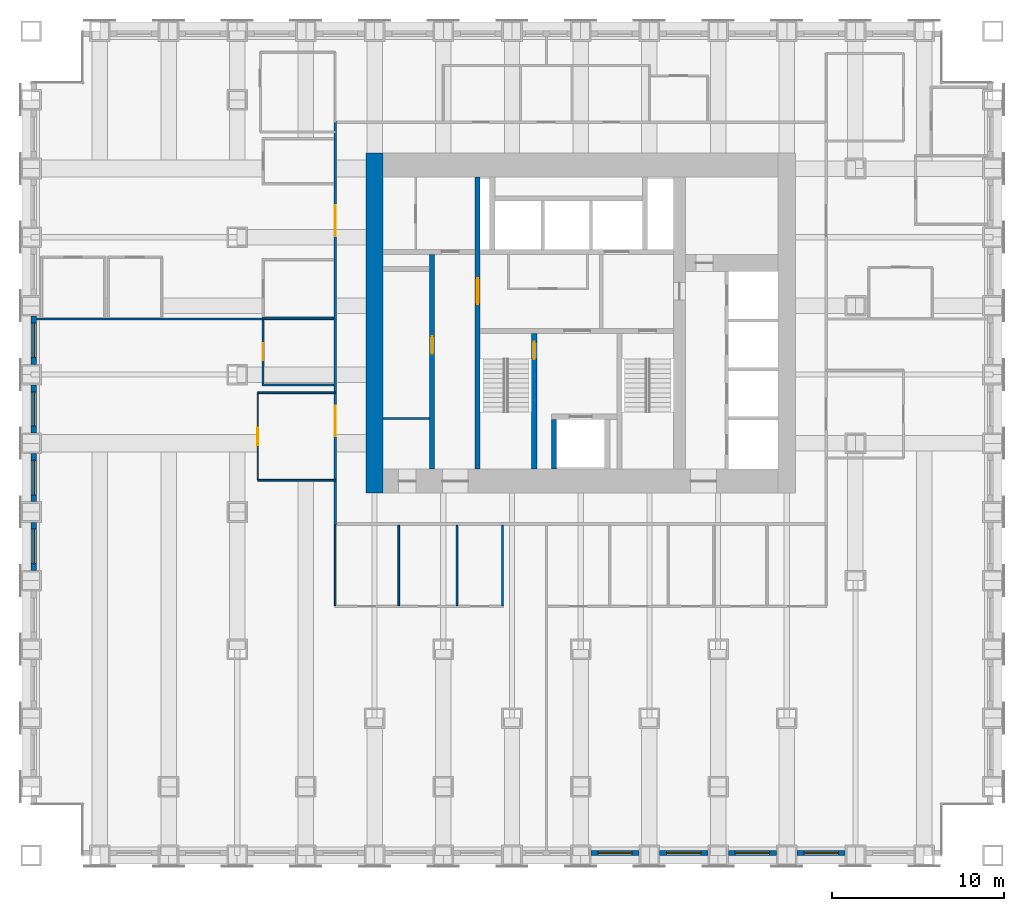
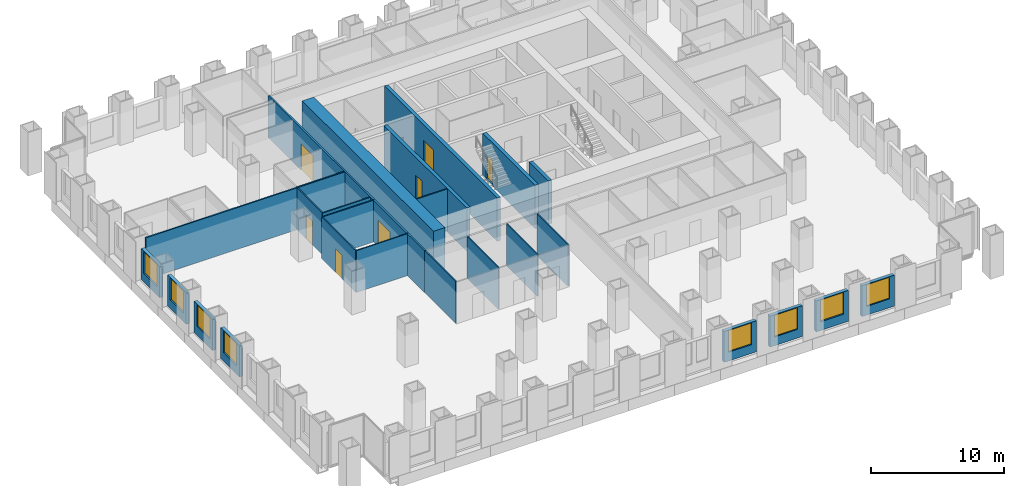
# One storey, part 9 of 15: 26 walls, 8 windows, 7 doors, 15 openings.
"""IFC4 building model written with IfcOpenShell, lengths in metres."""

from ifc_helpers import new_model, si_unit, direction, frame, frame_2d, origin, place, context, subcontext, project, spatial, rectangle, extrude, material, layer, layer_set, type_object, element, fill, save


model = new_model("IFC4")

# Units and contexts
model_context = context("Model", 3, precision=1e-05, world=origin(), true_north=direction((0.0, 1.0)))
body_context = subcontext(model_context, "Body", "Model", "MODEL_VIEW")
ifc_project = project(units=[si_unit("LENGTHUNIT", "METRE"), si_unit("AREAUNIT", "SQUARE_METRE"), si_unit("VOLUMEUNIT", "CUBIC_METRE"), si_unit("PLANEANGLEUNIT", "RADIAN"), si_unit("MASSUNIT", "GRAM", prefix="KILO")], contexts=[model_context])

# Site, building, storey
site_placement = place(None, origin())
site = spatial("IfcSite", under=ifc_project, at=site_placement, CompositionType="ELEMENT")
building_placement = place(site_placement, origin())
building = spatial("IfcBuilding", under=site, at=building_placement, Name="Rimbunsela Tower", CompositionType="ELEMENT")
storey_placement = place(building_placement, frame((0.0, 0.0, 19.0)))
storey = spatial("IfcBuildingStorey", under=building, at=storey_placement, Name="L04", CompositionType="ELEMENT", Elevation=19.0)

# Wall, opening, door
ifc_material_1 = material(Name="Concrete fc' 80 MPa", Category="concrete")
ifc_layer_1 = layer(ifc_material_1, 0.300048828125)
ifc_layer_set_1 = layer_set([ifc_layer_1], Name="Core internal wall 300")
wall_type_1 = type_object("IfcWallType", Name="Core internal wall 300", PredefinedType="SHEAR", material=ifc_layer_set_1)
wall_1_placement = place(storey_placement, frame((24.0, 18.5, -0.14990234375), z_axis=(0.0, 0.0, 1.0), x_axis=(0.0, 1.0, 0.0)))
wall_1 = element("IfcWall", 1, at=wall_1_placement, inside=storey, type_object=wall_type_1, Name="Core wall at stair A", PredefinedType="SHEAR", context=body_context, shape_type="SweptSolid", body=[
    extrude(rectangle(XDim=17.0, YDim=0.300048828125, at=frame_2d((8.5, 0.0))), origin(), (0.0, 0.0, 1.0), 4.0),
])
opening_1_placement = place(wall_1_placement, frame((9.60009765625, 0.0, 0.14990234375)))
opening_1 = element("IfcOpeningElement", 2, at=opening_1_placement, cuts=wall_1, Name="Opening D03", PredefinedType="OPENING", context=body_context, shape_type="SweptSolid", body=[
    extrude(rectangle(XDim=1.5, YDim=2.39990234375, at=frame_2d((0.75, 1.199951171875))), frame((0.0, 0.159912109375, 0.0), z_axis=(0.0, -1.0, 0.0), x_axis=(1.0, 0.0, 0.0)), (0.0, 0.0, 1.0), 0.320068359375),
])
ifc_material_2 = material(Name="Steel door, fire rated", Category="steel")
door_type_1 = type_object("IfcDoorType", Name="Core lobby door 1500", OperationType="DOUBLE_DOOR_DOUBLE_SWING", PredefinedType="DOOR", material=ifc_material_2)
door_1_placement = place(opening_1_placement, origin())
door_1 = element("IfcDoor", 3, at=door_1_placement, inside=storey, type_object=door_type_1, Name="West lobby door", OperationType="DOUBLE_DOOR_DOUBLE_SWING", OverallHeight=2.39990234375, OverallWidth=1.5, PredefinedType="DOOR", context=body_context, shape_type="SweptSolid", body=[
    extrude(rectangle(XDim=1.5, YDim=2.39990234375, at=frame_2d((0.75, 1.199951171875))), frame((0.0, 0.02490234375, 0.0), z_axis=(0.0, -1.0, 0.0), x_axis=(1.0, 0.0, 0.0)), (0.0, 0.0, 1.0), 0.050048828125),
])
fill(opening_1, door_1)

wall_2_placement = place(storey_placement, frame((27.300048828125, 18.5, -0.14990234375), z_axis=(0.0, 0.0, 1.0), x_axis=(0.0, 1.0, 0.0)))
wall_2 = element("IfcWall", 4, at=wall_2_placement, inside=storey, type_object=wall_type_1, Name="Stair A enclosure", PredefinedType="SHEAR", context=body_context, shape_type="SweptSolid", body=[
    extrude(rectangle(XDim=7.89990234375, YDim=0.300048828125, at=frame_2d((3.949951171875, 0.0))), origin(), (0.0, 0.0, 1.0), 4.0),
])
opening_2_placement = place(wall_2_placement, frame((6.39990234375, 0.0, 0.14990234375)))
opening_2 = element("IfcOpeningElement", 5, at=opening_2_placement, cuts=wall_2, Name="Opening D01", PredefinedType="OPENING", context=body_context, shape_type="SweptSolid", body=[
    extrude(rectangle(XDim=1.0, YDim=2.199951171875, at=frame_2d((0.5, 1.10009765625))), frame((0.0, 0.159912109375, 0.0), z_axis=(0.0, -1.0, 0.0), x_axis=(1.0, 0.0, 0.0)), (0.0, 0.0, 1.0), 0.320068359375),
])
ifc_material_3 = material(Name="Steel door, fire rated", Category="steel")
door_type_2 = type_object("IfcDoorType", Name="Stair door 1000", OperationType="SINGLE_SWING_RIGHT", PredefinedType="DOOR", material=ifc_material_3)
door_2_placement = place(opening_2_placement, origin())
door_2 = element("IfcDoor", 6, at=door_2_placement, inside=storey, type_object=door_type_2, Name="Stair A door", OperationType="SINGLE_SWING_RIGHT", OverallHeight=2.199951171875, OverallWidth=1.0, PredefinedType="DOOR", context=body_context, shape_type="SweptSolid", body=[
    extrude(rectangle(XDim=1.0, YDim=2.199951171875, at=frame_2d((0.5, 1.10009765625))), frame((0.0, 0.02490234375, 0.0), z_axis=(0.0, -1.0, 0.0), x_axis=(1.0, 0.0, 0.0)), (0.0, 0.0, 1.0), 0.050048828125),
])
fill(opening_2, door_2)

# Wall
wall_3_placement = place(storey_placement, frame((28.449951171875, 18.5, -0.14990234375), z_axis=(0.0, 0.0, 1.0), x_axis=(0.0, 1.0, 0.0)))
element("IfcWall", 7, at=wall_3_placement, inside=storey, type_object=wall_type_1, Name="Firefighting lift shaft west", PredefinedType="SHEAR", context=body_context, shape_type="SweptSolid", body=[
    extrude(rectangle(XDim=2.89990234375, YDim=0.300048828125, at=frame_2d((1.449951171875, 0.0))), origin(), (0.0, 0.0, 1.0), 4.0),
])

# Wall, opening, door
wall_4_placement = place(storey_placement, frame((21.35009765625, 18.5, -0.14990234375), z_axis=(0.0, 0.0, 1.0), x_axis=(0.0, 1.0, 0.0)))
wall_4 = element("IfcWall", 8, at=wall_4_placement, inside=storey, type_object=wall_type_1, Name="Lift shaft front west", PredefinedType="SHEAR", context=body_context, shape_type="SweptSolid", body=[
    extrude(rectangle(XDim=12.5, YDim=0.300048828125, at=frame_2d((6.25, 0.0))), origin(), (0.0, 0.0, 1.0), 4.0),
])
opening_3_placement = place(wall_4_placement, frame((6.72509765625, 0.0, 0.14990234375)))
opening_3 = element("IfcOpeningElement", 9, at=opening_3_placement, cuts=wall_4, Name="Opening D19", PredefinedType="OPENING", context=body_context, shape_type="SweptSolid", body=[
    extrude(rectangle(XDim=1.0, YDim=2.199951171875, at=frame_2d((0.5, 1.10009765625))), frame((0.0, 0.159912109375, 0.0), z_axis=(0.0, -1.0, 0.0), x_axis=(1.0, 0.0, 0.0)), (0.0, 0.0, 1.0), 0.320068359375),
])
ifc_material_4 = material(Name="Steel door, fire rated", Category="steel")
door_type_3 = type_object("IfcDoorType", Name="Service door 1000 fire rated", OperationType="SINGLE_SWING_LEFT", PredefinedType="DOOR", material=ifc_material_4)
door_3_placement = place(opening_3_placement, origin())
door_3 = element("IfcDoor", 10, at=door_3_placement, inside=storey, type_object=door_type_3, Name="Housekeeping store door", OperationType="SINGLE_SWING_LEFT", OverallHeight=2.199951171875, OverallWidth=1.0, PredefinedType="DOOR", context=body_context, shape_type="SweptSolid", body=[
    extrude(rectangle(XDim=1.0, YDim=2.199951171875, at=frame_2d((0.5, 1.10009765625))), frame((0.0, 0.02490234375, 0.0), z_axis=(0.0, -1.0, 0.0), x_axis=(1.0, 0.0, 0.0)), (0.0, 0.0, 1.0), 0.050048828125),
])
fill(opening_3, door_3)

# Walls
ifc_material_5 = material(Name="Concrete blockwork", Category="masonry")
ifc_layer_2 = layer(ifc_material_5, 0.10009765625)
ifc_layer_set_2 = layer_set([ifc_layer_2], Name="Core room partition 100")
wall_type_2 = type_object("IfcWallType", Name="Core room partition 100", PredefinedType="PARTITIONING", material=ifc_layer_set_2)
wall_5_placement = place(storey_placement, frame((18.5, 21.449951171875, 0.0), z_axis=(0.0, 0.0, 1.0), x_axis=(1.0, 0.0, 0.0)))
element("IfcWall", 11, at=wall_5_placement, inside=storey, type_object=wall_type_2, Name="Housekeeping store wall", PredefinedType="PARTITIONING", context=body_context, shape_type="SweptSolid", body=[
    extrude(rectangle(XDim=2.699951171875, YDim=0.10009765625, at=frame_2d((1.35009765625, 0.0))), origin(), (0.0, 0.0, 1.0), 3.85009765625),
])
ifc_material_6 = material(Name="Concrete fc' 80 MPa", Category="concrete")
ifc_layer_3 = layer(ifc_material_6, 1.0)
ifc_layer_set_3 = layer_set([ifc_layer_3], Name="Core wall 1000")
wall_type_3 = type_object("IfcWallType", Name="Core wall 1000", PredefinedType="SHEAR", material=ifc_layer_set_3)
wall_6_placement = place(storey_placement, frame((18.0, 17.10009765625, -0.14990234375), z_axis=(0.0, 0.0, 1.0), x_axis=(0.0, 1.0, 0.0)))
element("IfcWall", 12, at=wall_6_placement, inside=storey, type_object=wall_type_3, Name="Core wall west", PredefinedType="SHEAR", context=body_context, shape_type="SweptSolid", body=[
    extrude(rectangle(XDim=19.7998046875, YDim=1.0, at=frame_2d((9.89990234375, 0.0))), origin(), (0.0, 0.0, 1.0), 4.0),
])
ifc_material_7 = material(Name="Gypsum board on steel studs", Category="steel")
ifc_layer_4 = layer(ifc_material_7, 0.10009765625)
ifc_layer_set_4 = layer_set([ifc_layer_4], Name="Office partition 100")
wall_type_4 = type_object("IfcWallType", Name="Office partition 100", PredefinedType="PARTITIONING", material=ifc_layer_set_4)
for number, where, z_axis, x_axis, name in (
    (13, (11.449951171875, 23.39990234375, 0.0), (0.0, 0.0, 1.0), (1.0, 0.0, 0.0), "Office partition"),
    (14, (11.449951171875, 27.300048828125, 0.0), (0.0, 0.0, 1.0), (1.0, 0.0, 0.0), "Office partition"),
):
    element("IfcWall", number, at=place(storey_placement, frame(where, z_axis=z_axis, x_axis=x_axis)), inside=storey, type_object=wall_type_4, Name=name, PredefinedType="PARTITIONING", context=body_context, shape_type="SweptSolid", body=[
        extrude(rectangle(XDim=4.175048828125, YDim=0.10009765625, at=frame_2d((2.08740234375, 0.0))), origin(), (0.0, 0.0, 1.0), 3.85009765625),
    ])

# Wall, opening, door
wall_7_placement = place(storey_placement, frame((11.5, 23.449951171875, 0.0), z_axis=(0.0, 0.0, 1.0), x_axis=(0.0, 1.0, 0.0)))
wall_7 = element("IfcWall", 15, at=wall_7_placement, inside=storey, type_object=wall_type_4, Name="Office partition", PredefinedType="PARTITIONING", context=body_context, shape_type="SweptSolid", body=[
    extrude(rectangle(XDim=3.739013671875, YDim=0.10009765625, at=frame_2d((1.86962890625, 0.0))), origin(), (0.0, 0.0, 1.0), 3.85009765625),
])
opening_4_placement = place(wall_7_placement, frame((1.37451171875, 0.0, 0.0)))
opening_4 = element("IfcOpeningElement", 16, at=opening_4_placement, cuts=wall_7, Name="Opening D16", PredefinedType="OPENING", context=body_context, shape_type="SweptSolid", body=[
    extrude(rectangle(XDim=1.0, YDim=2.199951171875, at=frame_2d((0.5, 1.10009765625))), frame((0.0, 0.06005859375, 0.0), z_axis=(0.0, -1.0, 0.0), x_axis=(1.0, 0.0, 0.0)), (0.0, 0.0, 1.0), 0.1201171875),
])
ifc_material_8 = material(Name="Timber door", Category="wood")
door_type_4 = type_object("IfcDoorType", Name="Office door 1000", OperationType="SINGLE_SWING_LEFT", PredefinedType="DOOR", material=ifc_material_8)
door_4_placement = place(opening_4_placement, origin())
door_4 = element("IfcDoor", 17, at=door_4_placement, inside=storey, type_object=door_type_4, Name="Office door", OperationType="SINGLE_SWING_LEFT", OverallHeight=2.199951171875, OverallWidth=1.0, PredefinedType="DOOR", context=body_context, shape_type="SweptSolid", body=[
    extrude(rectangle(XDim=1.0, YDim=2.199951171875, at=frame_2d((0.5, 1.10009765625))), frame((0.0, 0.02490234375, 0.0), z_axis=(0.0, -1.0, 0.0), x_axis=(1.0, 0.0, 0.0)), (0.0, 0.0, 1.0), 0.050048828125),
])
fill(opening_4, door_4)

# Walls
for number, where, z_axis, x_axis, name in (
    (18, (15.699951171875, 10.550048828125, 0.0), (0.0, 0.0, 1.0), (0.0, 1.0, 0.0), "Office partition"),
    (19, (19.39990234375, 10.550048828125, 0.0), (0.0, 0.0, 1.0), (0.0, 1.0, 0.0), "Office partition"),
    (20, (22.800048828125, 10.550048828125, 0.0), (0.0, 0.0, 1.0), (0.0, 1.0, 0.0), "Office partition"),
    (21, (25.449951171875, 10.550048828125, 0.0), (0.0, 0.0, 1.0), (0.0, 1.0, 0.0), "Office partition"),
):
    element("IfcWall", number, at=place(storey_placement, frame(where, z_axis=z_axis, x_axis=x_axis)), inside=storey, type_object=wall_type_4, Name=name, PredefinedType="PARTITIONING", context=body_context, shape_type="SweptSolid", body=[
        extrude(rectangle(XDim=4.675048828125, YDim=0.10009765625, at=frame_2d((2.33740234375, 0.0))), origin(), (0.0, 0.0, 1.0), 3.85009765625),
    ])
wall_8_placement = place(storey_placement, frame((15.699951171875, 22.949951171875, 0.0), z_axis=(0.0, 0.0, 1.0), x_axis=(-1.0, 0.0, 0.0)))
element("IfcWall", 22, at=wall_8_placement, inside=storey, type_object=wall_type_4, Name="Office partition", PredefinedType="PARTITIONING", context=body_context, shape_type="SweptSolid", body=[
    extrude(rectangle(XDim=4.5, YDim=0.10009765625, at=frame_2d((2.25, 0.0))), origin(), (0.0, 0.0, 1.0), 3.85009765625),
])

# Wall, opening, door
wall_9_placement = place(storey_placement, frame((11.199951171875, 22.949951171875, 0.0), z_axis=(0.0, 0.0, 1.0), x_axis=(0.0, -1.0, 0.0)))
wall_9 = element("IfcWall", 23, at=wall_9_placement, inside=storey, type_object=wall_type_4, Name="Office partition", PredefinedType="PARTITIONING", context=body_context, shape_type="SweptSolid", body=[
    extrude(rectangle(XDim=5.099853515625, YDim=0.10009765625, at=frame_2d((2.5498046875, 0.0))), origin(), (0.0, 0.0, 1.0), 3.85009765625),
])
opening_5_placement = place(wall_9_placement, frame((2.050048828125, 0.0, 0.0)))
opening_5 = element("IfcOpeningElement", 24, at=opening_5_placement, cuts=wall_9, Name="Opening D17", PredefinedType="OPENING", context=body_context, shape_type="SweptSolid", body=[
    extrude(rectangle(XDim=1.0, YDim=2.199951171875, at=frame_2d((0.5, 1.10009765625))), frame((0.0, 0.06005859375, 0.0), z_axis=(0.0, -1.0, 0.0), x_axis=(1.0, 0.0, 0.0)), (0.0, 0.0, 1.0), 0.1201171875),
])
ifc_material_9 = material(Name="Glazed aluminium door", Category="aluminium")
door_type_5 = type_object("IfcDoorType", Name="Meeting room door 1000 glazed", OperationType="SINGLE_SWING_RIGHT", PredefinedType="DOOR", material=ifc_material_9)
door_5_placement = place(opening_5_placement, origin())
door_5 = element("IfcDoor", 25, at=door_5_placement, inside=storey, type_object=door_type_5, Name="Reception door", OperationType="SINGLE_SWING_RIGHT", OverallHeight=2.199951171875, OverallWidth=1.0, PredefinedType="DOOR", context=body_context, shape_type="SweptSolid", body=[
    extrude(rectangle(XDim=1.0, YDim=2.199951171875, at=frame_2d((0.5, 1.10009765625))), frame((0.0, 0.02490234375, 0.0), z_axis=(0.0, -1.0, 0.0), x_axis=(1.0, 0.0, 0.0)), (0.0, 0.0, 1.0), 0.050048828125),
])
fill(opening_5, door_5)

# Wall
wall_10_placement = place(storey_placement, frame((11.199951171875, 17.85009765625, 0.0), z_axis=(0.0, 0.0, 1.0), x_axis=(1.0, 0.0, 0.0)))
element("IfcWall", 26, at=wall_10_placement, inside=storey, type_object=wall_type_4, Name="Office partition", PredefinedType="PARTITIONING", context=body_context, shape_type="SweptSolid", body=[
    extrude(rectangle(XDim=4.5, YDim=0.10009765625, at=frame_2d((2.25, 0.0))), origin(), (0.0, 0.0, 1.0), 3.85009765625),
])

# Wall, opening, window
ifc_material_10 = material(Name="Precast concrete fc' 35 MPa", Category="concrete")
ifc_layer_5 = layer(ifc_material_10, 0.300048828125)
ifc_layer_set_5 = layer_set([ifc_layer_5], Name="Precast concrete fc' 35 MPa")
wall_type_5 = type_object("IfcWallType", Name="Precast facade panel 300", PredefinedType="ELEMENTEDWALL", material=ifc_layer_set_5)
wall_11_placement = place(storey_placement, frame((30.60009765625, -3.85009765625, 0.0), z_axis=(0.0, 0.0, 1.0), x_axis=(1.0, 0.0, 0.0)))
wall_11 = element("IfcWall", 27, at=wall_11_placement, inside=storey, type_object=wall_type_5, Name="Facade panel S L04", PredefinedType="ELEMENTEDWALL", context=body_context, shape_type="SweptSolid", body=[
    extrude(rectangle(XDim=2.7998046875, YDim=0.300048828125, at=frame_2d((1.39990234375, 0.0))), origin(), (0.0, 0.0, 1.0), 2.85009765625),
])
opening_6_placement = place(wall_11_placement, frame((0.39990234375, 0.0, 0.800048828125)))
opening_6 = element("IfcOpeningElement", 28, at=opening_6_placement, cuts=wall_11, Name="Opening W1", PredefinedType="OPENING", context=body_context, shape_type="SweptSolid", body=[
    extrude(rectangle(XDim=2.0, YDim=2.0, at=frame_2d((1.0, 1.0))), frame((0.0, 0.159912109375, 0.0), z_axis=(0.0, -1.0, 0.0), x_axis=(1.0, 0.0, 0.0)), (0.0, 0.0, 1.0), 0.320068359375),
])
ifc_material_11 = material(Name="Clear glass in aluminium frame", Category="aluminium")
window_type = type_object("IfcWindowType", Name="Window W1 2000x2000", PartitioningType="DOUBLE_PANEL_VERTICAL", PredefinedType="WINDOW", material=ifc_material_11)
window_1_placement = place(opening_6_placement, origin())
window_1 = element("IfcWindow", 29, at=window_1_placement, inside=storey, type_object=window_type, Name="Window L04", OverallHeight=2.0, OverallWidth=2.0, PartitioningType="SINGLE_PANEL", PredefinedType="WINDOW", context=body_context, shape_type="SweptSolid", body=[
    extrude(rectangle(XDim=2.0, YDim=2.0, at=frame_2d((1.0, 1.0))), frame((0.0, 0.030029296875, 0.0), z_axis=(0.0, -1.0, 0.0), x_axis=(1.0, 0.0, 0.0)), (0.0, 0.0, 1.0), 0.06005859375),
])
fill(opening_6, window_1)

wall_12_placement = place(storey_placement, frame((34.60009765625, -3.85009765625, 0.0), z_axis=(0.0, 0.0, 1.0), x_axis=(1.0, 0.0, 0.0)))
wall_12 = element("IfcWall", 30, at=wall_12_placement, inside=storey, type_object=wall_type_5, Name="Facade panel S L04", PredefinedType="ELEMENTEDWALL", context=body_context, shape_type="SweptSolid", body=[
    extrude(rectangle(XDim=2.7998046875, YDim=0.300048828125, at=frame_2d((1.39990234375, 0.0))), origin(), (0.0, 0.0, 1.0), 2.85009765625),
])
opening_7_placement = place(wall_12_placement, frame((0.39990234375, 0.0, 0.800048828125)))
opening_7 = element("IfcOpeningElement", 31, at=opening_7_placement, cuts=wall_12, Name="Opening W1", PredefinedType="OPENING", context=body_context, shape_type="SweptSolid", body=[
    extrude(rectangle(XDim=2.0, YDim=2.0, at=frame_2d((1.0, 1.0))), frame((0.0, 0.159912109375, 0.0), z_axis=(0.0, -1.0, 0.0), x_axis=(1.0, 0.0, 0.0)), (0.0, 0.0, 1.0), 0.320068359375),
])
window_2_placement = place(opening_7_placement, origin())
window_2 = element("IfcWindow", 32, at=window_2_placement, inside=storey, type_object=window_type, Name="Window L04", OverallHeight=2.0, OverallWidth=2.0, PartitioningType="SINGLE_PANEL", PredefinedType="WINDOW", context=body_context, shape_type="SweptSolid", body=[
    extrude(rectangle(XDim=2.0, YDim=2.0, at=frame_2d((1.0, 1.0))), frame((0.0, 0.030029296875, 0.0), z_axis=(0.0, -1.0, 0.0), x_axis=(1.0, 0.0, 0.0)), (0.0, 0.0, 1.0), 0.06005859375),
])
fill(opening_7, window_2)

wall_13_placement = place(storey_placement, frame((38.60009765625, -3.85009765625, 0.0), z_axis=(0.0, 0.0, 1.0), x_axis=(1.0, 0.0, 0.0)))
wall_13 = element("IfcWall", 33, at=wall_13_placement, inside=storey, type_object=wall_type_5, Name="Facade panel S L04", PredefinedType="ELEMENTEDWALL", context=body_context, shape_type="SweptSolid", body=[
    extrude(rectangle(XDim=2.7998046875, YDim=0.300048828125, at=frame_2d((1.39990234375, 0.0))), origin(), (0.0, 0.0, 1.0), 2.85009765625),
])
opening_8_placement = place(wall_13_placement, frame((0.39990234375, 0.0, 0.800048828125)))
opening_8 = element("IfcOpeningElement", 34, at=opening_8_placement, cuts=wall_13, Name="Opening W1", PredefinedType="OPENING", context=body_context, shape_type="SweptSolid", body=[
    extrude(rectangle(XDim=2.0, YDim=2.0, at=frame_2d((1.0, 1.0))), frame((0.0, 0.159912109375, 0.0), z_axis=(0.0, -1.0, 0.0), x_axis=(1.0, 0.0, 0.0)), (0.0, 0.0, 1.0), 0.320068359375),
])
window_3_placement = place(opening_8_placement, origin())
window_3 = element("IfcWindow", 35, at=window_3_placement, inside=storey, type_object=window_type, Name="Window L04", OverallHeight=2.0, OverallWidth=2.0, PartitioningType="SINGLE_PANEL", PredefinedType="WINDOW", context=body_context, shape_type="SweptSolid", body=[
    extrude(rectangle(XDim=2.0, YDim=2.0, at=frame_2d((1.0, 1.0))), frame((0.0, 0.030029296875, 0.0), z_axis=(0.0, -1.0, 0.0), x_axis=(1.0, 0.0, 0.0)), (0.0, 0.0, 1.0), 0.06005859375),
])
fill(opening_8, window_3)

wall_14_placement = place(storey_placement, frame((42.60009765625, -3.85009765625, 0.0), z_axis=(0.0, 0.0, 1.0), x_axis=(1.0, 0.0, 0.0)))
wall_14 = element("IfcWall", 36, at=wall_14_placement, inside=storey, type_object=wall_type_5, Name="Facade panel S L04", PredefinedType="ELEMENTEDWALL", context=body_context, shape_type="SweptSolid", body=[
    extrude(rectangle(XDim=2.7998046875, YDim=0.300048828125, at=frame_2d((1.39990234375, 0.0))), origin(), (0.0, 0.0, 1.0), 2.85009765625),
])
opening_9_placement = place(wall_14_placement, frame((0.39990234375, 0.0, 0.800048828125)))
opening_9 = element("IfcOpeningElement", 37, at=opening_9_placement, cuts=wall_14, Name="Opening W1", PredefinedType="OPENING", context=body_context, shape_type="SweptSolid", body=[
    extrude(rectangle(XDim=2.0, YDim=2.0, at=frame_2d((1.0, 1.0))), frame((0.0, 0.159912109375, 0.0), z_axis=(0.0, -1.0, 0.0), x_axis=(1.0, 0.0, 0.0)), (0.0, 0.0, 1.0), 0.320068359375),
])
window_4_placement = place(opening_9_placement, origin())
window_4 = element("IfcWindow", 38, at=window_4_placement, inside=storey, type_object=window_type, Name="Window L04", OverallHeight=2.0, OverallWidth=2.0, PartitioningType="SINGLE_PANEL", PredefinedType="WINDOW", context=body_context, shape_type="SweptSolid", body=[
    extrude(rectangle(XDim=2.0, YDim=2.0, at=frame_2d((1.0, 1.0))), frame((0.0, 0.030029296875, 0.0), z_axis=(0.0, -1.0, 0.0), x_axis=(1.0, 0.0, 0.0)), (0.0, 0.0, 1.0), 0.06005859375),
])
fill(opening_9, window_4)

wall_15_placement = place(storey_placement, frame((-1.85009765625, 15.39990234375, 0.0), z_axis=(0.0, 0.0, 1.0), x_axis=(0.0, -1.0, 0.0)))
wall_15 = element("IfcWall", 39, at=wall_15_placement, inside=storey, type_object=wall_type_5, Name="Facade panel W L04", PredefinedType="ELEMENTEDWALL", context=body_context, shape_type="SweptSolid", body=[
    extrude(rectangle(XDim=2.7998046875, YDim=0.300048828125, at=frame_2d((1.39990234375, 0.0))), origin(), (0.0, 0.0, 1.0), 2.85009765625),
])
opening_10_placement = place(wall_15_placement, frame((0.39990234375, 0.0, 0.800048828125)))
opening_10 = element("IfcOpeningElement", 40, at=opening_10_placement, cuts=wall_15, Name="Opening W1", PredefinedType="OPENING", context=body_context, shape_type="SweptSolid", body=[
    extrude(rectangle(XDim=2.0, YDim=2.0, at=frame_2d((1.0, 1.0))), frame((0.0, 0.159912109375, 0.0), z_axis=(0.0, -1.0, 0.0), x_axis=(1.0, 0.0, 0.0)), (0.0, 0.0, 1.0), 0.320068359375),
])
window_5_placement = place(opening_10_placement, origin())
window_5 = element("IfcWindow", 41, at=window_5_placement, inside=storey, type_object=window_type, Name="Window L04", OverallHeight=2.0, OverallWidth=2.0, PartitioningType="SINGLE_PANEL", PredefinedType="WINDOW", context=body_context, shape_type="SweptSolid", body=[
    extrude(rectangle(XDim=2.0, YDim=2.0, at=frame_2d((1.0, 1.0))), frame((0.0, 0.030029296875, 0.0), z_axis=(0.0, -1.0, 0.0), x_axis=(1.0, 0.0, 0.0)), (0.0, 0.0, 1.0), 0.06005859375),
])
fill(opening_10, window_5)

wall_16_placement = place(storey_placement, frame((-1.85009765625, 19.39990234375, 0.0), z_axis=(0.0, 0.0, 1.0), x_axis=(0.0, -1.0, 0.0)))
wall_16 = element("IfcWall", 42, at=wall_16_placement, inside=storey, type_object=wall_type_5, Name="Facade panel W L04", PredefinedType="ELEMENTEDWALL", context=body_context, shape_type="SweptSolid", body=[
    extrude(rectangle(XDim=2.7998046875, YDim=0.300048828125, at=frame_2d((1.39990234375, 0.0))), origin(), (0.0, 0.0, 1.0), 2.85009765625),
])
opening_11_placement = place(wall_16_placement, frame((0.39990234375, 0.0, 0.800048828125)))
opening_11 = element("IfcOpeningElement", 43, at=opening_11_placement, cuts=wall_16, Name="Opening W1", PredefinedType="OPENING", context=body_context, shape_type="SweptSolid", body=[
    extrude(rectangle(XDim=2.0, YDim=2.0, at=frame_2d((1.0, 1.0))), frame((0.0, 0.159912109375, 0.0), z_axis=(0.0, -1.0, 0.0), x_axis=(1.0, 0.0, 0.0)), (0.0, 0.0, 1.0), 0.320068359375),
])
window_6_placement = place(opening_11_placement, origin())
window_6 = element("IfcWindow", 44, at=window_6_placement, inside=storey, type_object=window_type, Name="Window L04", OverallHeight=2.0, OverallWidth=2.0, PartitioningType="SINGLE_PANEL", PredefinedType="WINDOW", context=body_context, shape_type="SweptSolid", body=[
    extrude(rectangle(XDim=2.0, YDim=2.0, at=frame_2d((1.0, 1.0))), frame((0.0, 0.030029296875, 0.0), z_axis=(0.0, -1.0, 0.0), x_axis=(1.0, 0.0, 0.0)), (0.0, 0.0, 1.0), 0.06005859375),
])
fill(opening_11, window_6)

wall_17_placement = place(storey_placement, frame((-1.85009765625, 23.39990234375, 0.0), z_axis=(0.0, 0.0, 1.0), x_axis=(0.0, -1.0, 0.0)))
wall_17 = element("IfcWall", 45, at=wall_17_placement, inside=storey, type_object=wall_type_5, Name="Facade panel W L04", PredefinedType="ELEMENTEDWALL", context=body_context, shape_type="SweptSolid", body=[
    extrude(rectangle(XDim=2.7998046875, YDim=0.300048828125, at=frame_2d((1.39990234375, 0.0))), origin(), (0.0, 0.0, 1.0), 2.85009765625),
])
opening_12_placement = place(wall_17_placement, frame((0.39990234375, 0.0, 0.800048828125)))
opening_12 = element("IfcOpeningElement", 46, at=opening_12_placement, cuts=wall_17, Name="Opening W1", PredefinedType="OPENING", context=body_context, shape_type="SweptSolid", body=[
    extrude(rectangle(XDim=2.0, YDim=2.0, at=frame_2d((1.0, 1.0))), frame((0.0, 0.159912109375, 0.0), z_axis=(0.0, -1.0, 0.0), x_axis=(1.0, 0.0, 0.0)), (0.0, 0.0, 1.0), 0.320068359375),
])
window_7_placement = place(opening_12_placement, origin())
window_7 = element("IfcWindow", 47, at=window_7_placement, inside=storey, type_object=window_type, Name="Window L04", OverallHeight=2.0, OverallWidth=2.0, PartitioningType="SINGLE_PANEL", PredefinedType="WINDOW", context=body_context, shape_type="SweptSolid", body=[
    extrude(rectangle(XDim=2.0, YDim=2.0, at=frame_2d((1.0, 1.0))), frame((0.0, 0.030029296875, 0.0), z_axis=(0.0, -1.0, 0.0), x_axis=(1.0, 0.0, 0.0)), (0.0, 0.0, 1.0), 0.06005859375),
])
fill(opening_12, window_7)

wall_18_placement = place(storey_placement, frame((-1.85009765625, 27.39990234375, 0.0), z_axis=(0.0, 0.0, 1.0), x_axis=(0.0, -1.0, 0.0)))
wall_18 = element("IfcWall", 48, at=wall_18_placement, inside=storey, type_object=wall_type_5, Name="Facade panel W L04", PredefinedType="ELEMENTEDWALL", context=body_context, shape_type="SweptSolid", body=[
    extrude(rectangle(XDim=2.7998046875, YDim=0.300048828125, at=frame_2d((1.39990234375, 0.0))), origin(), (0.0, 0.0, 1.0), 2.85009765625),
])
opening_13_placement = place(wall_18_placement, frame((0.39990234375, 0.0, 0.800048828125)))
opening_13 = element("IfcOpeningElement", 49, at=opening_13_placement, cuts=wall_18, Name="Opening W1", PredefinedType="OPENING", context=body_context, shape_type="SweptSolid", body=[
    extrude(rectangle(XDim=2.0, YDim=2.0, at=frame_2d((1.0, 1.0))), frame((0.0, 0.159912109375, 0.0), z_axis=(0.0, -1.0, 0.0), x_axis=(1.0, 0.0, 0.0)), (0.0, 0.0, 1.0), 0.320068359375),
])
window_8_placement = place(opening_13_placement, origin())
window_8 = element("IfcWindow", 50, at=window_8_placement, inside=storey, type_object=window_type, Name="Window L04", OverallHeight=2.0, OverallWidth=2.0, PartitioningType="SINGLE_PANEL", PredefinedType="WINDOW", context=body_context, shape_type="SweptSolid", body=[
    extrude(rectangle(XDim=2.0, YDim=2.0, at=frame_2d((1.0, 1.0))), frame((0.0, 0.030029296875, 0.0), z_axis=(0.0, -1.0, 0.0), x_axis=(1.0, 0.0, 0.0)), (0.0, 0.0, 1.0), 0.06005859375),
])
fill(opening_13, window_8)

# Wall, openings, doors
ifc_material_12 = material(Name="Fire-rated gypsum board on steel studs, EI 60", Category="steel")
ifc_layer_6 = layer(ifc_material_12, 0.14990234375)
ifc_layer_set_6 = layer_set([ifc_layer_6], Name="Rated corridor wall 150")
wall_type_6 = type_object("IfcWallType", Name="Rated corridor wall 150", PredefinedType="PARTITIONING", material=ifc_layer_set_6)
wall_19_placement = place(storey_placement, frame((15.699951171875, 15.22509765625, 0.0), z_axis=(0.0, 0.0, 1.0), x_axis=(0.0, 1.0, 0.0)))
wall_19 = element("IfcWall", 51, at=wall_19_placement, inside=storey, type_object=wall_type_6, Name="Corridor wall west", PredefinedType="PARTITIONING", context=body_context, shape_type="SweptSolid", body=[
    extrude(rectangle(XDim=23.5498046875, YDim=0.14990234375, at=frame_2d((11.77490234375, 0.0))), origin(), (0.0, 0.0, 1.0), 3.85009765625),
])
opening_14_placement = place(wall_19_placement, frame((5.175048828125, 0.0, 0.0)))
opening_14 = element("IfcOpeningElement", 52, at=opening_14_placement, cuts=wall_19, Name="Opening D09", PredefinedType="OPENING", context=body_context, shape_type="SweptSolid", body=[
    extrude(rectangle(XDim=1.800048828125, YDim=2.39990234375, at=frame_2d((0.89990234375, 1.199951171875))), frame((0.0, 0.0849609375, 0.0), z_axis=(0.0, -1.0, 0.0), x_axis=(1.0, 0.0, 0.0)), (0.0, 0.0, 1.0), 0.169921875),
])
opening_15_placement = place(wall_19_placement, frame((16.824951171875, 0.0, 0.0)))
opening_15 = element("IfcOpeningElement", 53, at=opening_15_placement, cuts=wall_19, Name="Opening D09", PredefinedType="OPENING", context=body_context, shape_type="SweptSolid", body=[
    extrude(rectangle(XDim=1.800048828125, YDim=2.39990234375, at=frame_2d((0.89990234375, 1.199951171875))), frame((0.0, 0.0849609375, 0.0), z_axis=(0.0, -1.0, 0.0), x_axis=(1.0, 0.0, 0.0)), (0.0, 0.0, 1.0), 0.169921875),
])
ifc_material_13 = material(Name="Glazed aluminium door, fire rated", Category="aluminium")
door_type_6 = type_object("IfcDoorType", Name="Tenancy door 1800 glazed", OperationType="DOUBLE_DOOR_DOUBLE_SWING", PredefinedType="DOOR", material=ifc_material_13)
door_6_placement = place(opening_14_placement, origin())
door_6 = element("IfcDoor", 54, at=door_6_placement, inside=storey, type_object=door_type_6, Name="Tenancy door", OperationType="DOUBLE_DOOR_DOUBLE_SWING", OverallHeight=2.39990234375, OverallWidth=1.800048828125, PredefinedType="DOOR", context=body_context, shape_type="SweptSolid", body=[
    extrude(rectangle(XDim=1.800048828125, YDim=2.39990234375, at=frame_2d((0.89990234375, 1.199951171875))), frame((0.0, 0.02490234375, 0.0), z_axis=(0.0, -1.0, 0.0), x_axis=(1.0, 0.0, 0.0)), (0.0, 0.0, 1.0), 0.050048828125),
])
fill(opening_14, door_6)
door_7_placement = place(opening_15_placement, origin())
door_7 = element("IfcDoor", 55, at=door_7_placement, inside=storey, type_object=door_type_6, Name="Tenancy door", OperationType="DOUBLE_DOOR_DOUBLE_SWING", OverallHeight=2.39990234375, OverallWidth=1.800048828125, PredefinedType="DOOR", context=body_context, shape_type="SweptSolid", body=[
    extrude(rectangle(XDim=1.800048828125, YDim=2.39990234375, at=frame_2d((0.89990234375, 1.199951171875))), frame((0.0, 0.02490234375, 0.0), z_axis=(0.0, -1.0, 0.0), x_axis=(1.0, 0.0, 0.0)), (0.0, 0.0, 1.0), 0.050048828125),
])
fill(opening_15, door_7)

# Wall
ifc_material_14 = material(Name="Gypsum board on steel studs", Category="steel")
ifc_layer_7 = layer(ifc_material_14, 0.1201171875)
ifc_layer_set_7 = layer_set([ifc_layer_7], Name="Tenancy partition 120")
wall_type_7 = type_object("IfcWallType", Name="Tenancy partition 120", PredefinedType="PARTITIONING", material=ifc_layer_set_7)
wall_20_placement = place(storey_placement, frame((-1.699951171875, 27.25, 0.0), z_axis=(0.0, 0.0, 1.0), x_axis=(1.0, 0.0, 0.0)))
element("IfcWall", 56, at=wall_20_placement, inside=storey, type_object=wall_type_7, Name="Tenancy partition", PredefinedType="PARTITIONING", context=body_context, shape_type="SweptSolid", body=[
    extrude(rectangle(XDim=17.324951171875, YDim=0.1201171875, at=frame_2d((8.66259765625, 0.0))), origin(), (0.0, 0.0, 1.0), 3.85009765625),
])

save(model, "model.ifc")
